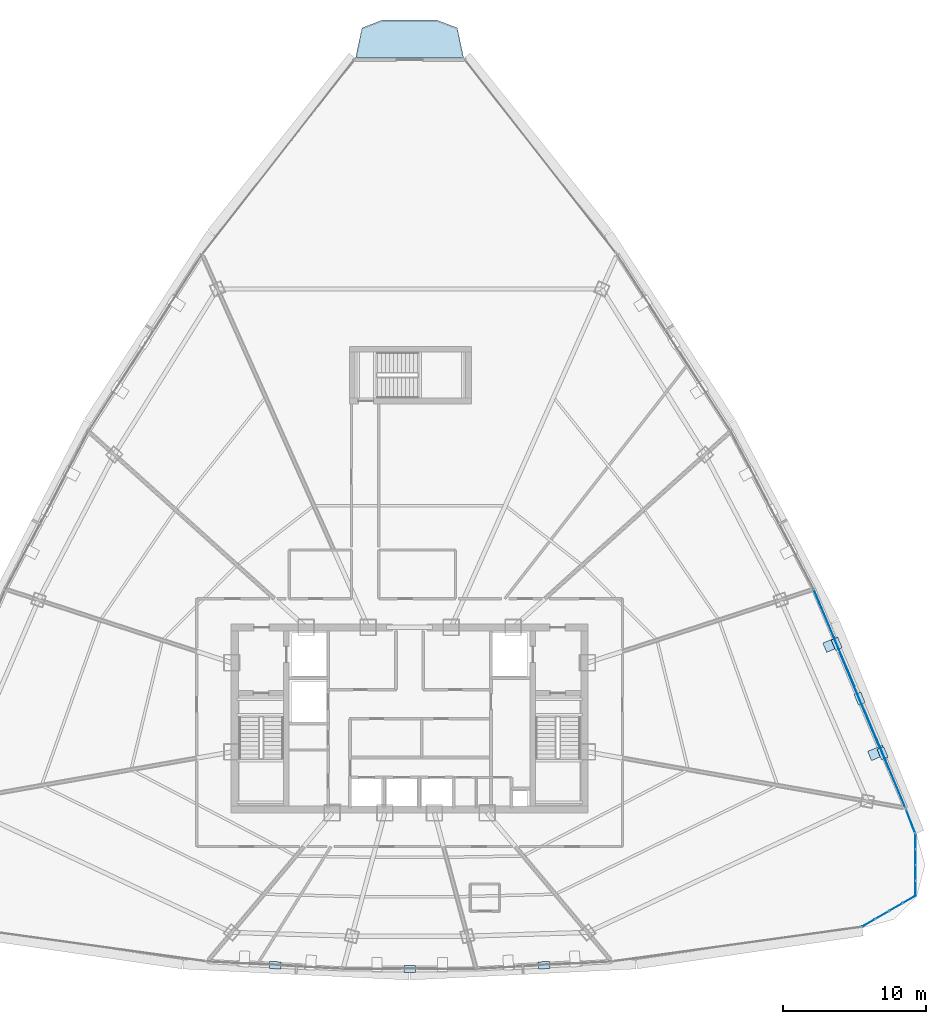
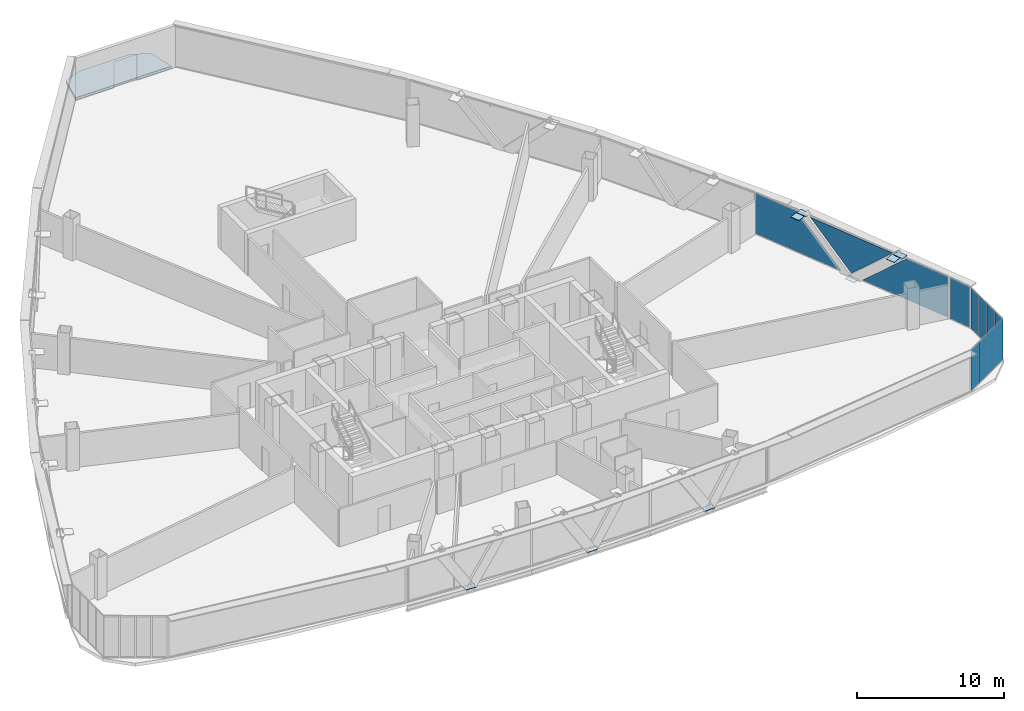
# One storey, part 29 of 36: 20 plates, 1 slab, 4 elements without a shape of their own.
"""IFC4 building model written with IfcOpenShell, lengths in metres."""

from ifc_helpers import new_model, si_unit, direction, frame, origin, origin_2d, place, context, subcontext, project, spatial, polyline, rectangle, outline, extrude, source, transform, mapped, material, layer, layer_set, type_object, element, aggregate, save


model = new_model("IFC4")

# Units and contexts
model_context = context("Model", 3, precision=1e-05, world=origin(), true_north=direction((0.0, 1.0)))
body_context = subcontext(model_context, "Body", "Model", "MODEL_VIEW")
ifc_project = project(units=[si_unit("LENGTHUNIT", "METRE"), si_unit("AREAUNIT", "SQUARE_METRE"), si_unit("VOLUMEUNIT", "CUBIC_METRE"), si_unit("PLANEANGLEUNIT", "RADIAN"), si_unit("MASSUNIT", "GRAM", prefix="KILO"), si_unit("THERMODYNAMICTEMPERATUREUNIT", "KELVIN"), si_unit("POWERUNIT", "WATT")], contexts=[model_context])

# Site, building, storey
site_placement = place(None, origin())
site = spatial("IfcSite", under=ifc_project, at=site_placement, CompositionType="ELEMENT")
building_placement = place(site_placement, origin())
building = spatial("IfcBuilding", under=site, at=building_placement, Name="Yunzhuo Pagoda Commons", CompositionType="ELEMENT")
storey_placement = place(building_placement, frame((0.0, 0.0, 248.260009765625)))
storey = spatial("IfcBuildingStorey", under=building, at=storey_placement, Name="L62", CompositionType="ELEMENT", Elevation=248.260009765625)

# Curtain wall, plates
ifc_material_1 = material(Name="Anodized aluminium 6063-T6", Category="aluminium")
ifc_layer_1 = layer(ifc_material_1, 0.139892578125)
ifc_layer_set_1 = layer_set([ifc_layer_1], Name="Anodized aluminium 6063-T6")
curtain_wall_type_1 = type_object("IfcCurtainWallType", Name="CW-HI High-Zone Ribbon Curtain Wall", PredefinedType="NOTDEFINED", material=ifc_layer_set_1)
curtain_wall_1_placement = place(storey_placement, origin())
curtain_wall_1 = element("IfcCurtainWall", 1, at=curtain_wall_1_placement, inside=storey, type_object=curtain_wall_type_1, Name="L62 curtain wall CW-L62-F2B2", PredefinedType="NOTDEFINED")
ifc_material_2 = material(Name="Tempered low-e double glazing", Category="glass")
ifc_layer_2 = layer(ifc_material_2, 0.02587890625)
ifc_layer_set_2 = layer_set([ifc_layer_2], Name="Tempered low-e double glazing")
plate_type_1 = type_object("IfcPlateType", Name="CW-HI-P Low-E Double Glazing 26", PredefinedType="CURTAIN_PANEL", material=ifc_layer_set_2)
plate_1_placement = place(storey_placement, frame((81.1552734375, 31.013427734375, 1.735107421875), z_axis=(0.922008372235, 0.387169938824, 0.0), x_axis=(-0.387169938824, 0.922008372235, 0.0)))
plate_1 = element("IfcPlate", 2, at=plate_1_placement, type_object=plate_type_1, Name="CW panel 1.1 lite 1", PredefinedType="CURTAIN_PANEL", context=body_context, shape_type="SweptSolid", body=[
    extrude(outline(polyline([(-3.64990234375, -1.679931640625), (3.64990234375, -1.679931640625), (-0.078125, 1.679931640625), (-3.64990234375, 1.679931640625), (-3.64990234375, -1.679931640625)])), origin(), (0.0, 0.0, 1.0), 0.028076171875),
])
plate_2_placement = place(storey_placement, frame((79.359375, 35.212646484375, 1.833251953125), z_axis=(0.922008372235, 0.387169938824, 0.0), x_axis=(-0.387169938824, 0.922008372235, 0.0)))
plate_2 = element("IfcPlate", 3, at=plate_2_placement, type_object=plate_type_1, Name="CW panel 1.1 lite 2", PredefinedType="CURTAIN_PANEL", context=body_context, shape_type="SweptSolid", body=[
    extrude(outline(polyline([(-3.510009765625, 1.581787109375), (0.0, -1.581787109375), (3.510009765625, 1.581787109375), (-3.510009765625, 1.581787109375)])), origin(), (0.0, 0.0, 1.0), 0.028076171875),
])
plate_3_placement = place(storey_placement, frame((77.61865234375, 39.435302734375, 1.735107421875), z_axis=(0.922008372235, 0.387169938824, 0.0), x_axis=(-0.387169938824, 0.922008372235, 0.0)))
plate_3 = element("IfcPlate", 4, at=plate_3_placement, type_object=plate_type_1, Name="CW panel 1.1 lite 3", PredefinedType="CURTAIN_PANEL", context=body_context, shape_type="SweptSolid", body=[
    extrude(outline(polyline([(-3.64990234375, -1.679931640625), (3.64990234375, -1.679931640625), (3.64990234375, 1.679931640625), (0.078125, 1.679931640625), (-3.64990234375, -1.679931640625)])), origin(), (0.0, 0.0, 1.0), 0.028076171875),
])
aggregate(curtain_wall_1, [plate_1, plate_2, plate_3])

# Slab
ifc_material_3 = material(Name="Concrete C40", Category="concrete")
ifc_layer_3 = layer(ifc_material_3, 0.199951171875)
ifc_layer_set_3 = layer_set([ifc_layer_3], Name="Concrete C40")
slab_type = type_object("IfcSlabType", Name="SL-BAL Vertex Balcony Deck Slab 200", PredefinedType="FLOOR", material=ifc_layer_set_3)
slab_placement = place(storey_placement, frame((0.0, 0.0, -0.199951171875)))
element("IfcSlab", 5, at=slab_placement, inside=storey, type_object=slab_type, Name="L62 corner balcony V3", PredefinedType="FLOOR", context=body_context, shape_type="SweptSolid", body=[
    extrude(outline(polyline([(51.773681640625, 79.934814453125), (44.226318359375, 79.934814453125), (44.676513671875, 82.02978515625), (46.11328125, 82.579833984375), (49.88671875, 82.579833984375), (51.323486328125, 82.02978515625), (51.773681640625, 79.934814453125)])), origin(), (0.0, 0.0, 1.0), 0.199951171875),
])

# Plates
ifc_material_4 = material(Name="Structural steel Q355B", Category="steel")
ifc_layer_4 = layer(ifc_material_4, 0.028076171875)
ifc_layer_set_4 = layer_set([ifc_layer_4], Name="Structural steel Q355B")
plate_type_2 = type_object("IfcPlateType", Name="SP-ND1 Lattice Node Cap Plate 800x500x28", PredefinedType="USERDEFINED", material=ifc_layer_set_4)
shared_shape_1 = source(origin(), body_context, "Body", "SweptSolid", [
    extrude(rectangle(XDim=0.800048828125, YDim=0.5, at=origin_2d()), origin(), (0.0, 0.0, 1.0), 0.028076171875),
])
for number, where, z_axis, x_axis, name in (
    (6, (38.623291015625, 16.626953125, -0.27392578125), (0.0, 0.0, 1.0), (0.998513930245, -0.054497074291, 0.0), "L62 diamond node plate F1.1A"),
    (7, (48.0, 16.36865234375, -0.27392578125), (0.0, 0.0, 1.0), (1.0, 0.0, 0.0), "L62 diamond node plate F1.2A"),
    (8, (57.376708984375, 16.626953125, -0.27392578125), (0.0, 0.0, 1.0), (0.998513930245, 0.054497074291, 0.0), "L62 diamond node plate F1.3A"),
    (9, (79.39990234375, 35.229736328125, -0.27392578125), (0.0, 0.0, 1.0), (-0.387177679939, 0.922005121546, 0.0), "L62 diamond node plate F2.1A"),
):
    element("IfcPlate", number, at=place(storey_placement, frame(where, z_axis=z_axis, x_axis=x_axis)), inside=storey, type_object=plate_type_2, Name=name, ObjectType="STIFFENER_PLATE", PredefinedType="USERDEFINED", context=body_context, shape_type="MappedRepresentation", body=[
        mapped(shared_shape_1, transform((0.0, 0.0, 0.0), scale=1.0)),
    ])
ifc_layer_5 = layer(ifc_material_4, 0.028076171875)
ifc_layer_set_5 = layer_set([ifc_layer_5], Name="Structural steel Q355B")
plate_type_3 = type_object("IfcPlateType", Name="EP-DL1 Diamond Brace End Plate 800x500x28", PredefinedType="USERDEFINED", material=ifc_layer_set_5)
for number, where, z_axis, x_axis, name in (
    (10, (81.002197265625, 31.4140625, 3.4677734375), (0.0, 0.0, 1.0), (-0.387177679939, 0.922005121546, 0.0), "L62 diamond brace end plate F2.1L"),
    (11, (77.797607421875, 39.04541015625, 3.4677734375), (0.0, 0.0, 1.0), (-0.387177679939, 0.922005121546, 0.0), "L62 diamond brace end plate F2.1R"),
):
    element("IfcPlate", number, at=place(storey_placement, frame(where, z_axis=z_axis, x_axis=x_axis)), inside=storey, type_object=plate_type_3, Name=name, ObjectType="END_PLATE", PredefinedType="USERDEFINED", context=body_context, shape_type="MappedRepresentation", body=[
        mapped(shared_shape_1, transform((0.0, 0.0, 0.0), scale=1.0)),
    ])
shared_shape_2 = source(origin(), body_context, "Body", "SweptSolid", [
    extrude(rectangle(XDim=0.699951171875, YDim=1.128173828125, at=origin_2d()), origin(), (0.0, 0.0, 1.0), 0.035888671875),
])
plate_4_placement = place(storey_placement, frame((80.614013671875, 31.44189453125, 3.43212890625), z_axis=(0.0, 0.0, 1.0), x_axis=(-0.387177679939, 0.922005121546, 0.0)))
element("IfcPlate", 12, at=plate_4_placement, inside=storey, type_object=plate_type_2, Name="L62 setback lattice tie plate F2.1L", ObjectType="STIFFENER_PLATE", PredefinedType="USERDEFINED", context=body_context, shape_type="MappedRepresentation", body=[
    mapped(shared_shape_2, transform((0.0, 0.0, 0.0), scale=1.0)),
])
shared_shape_3 = source(origin(), body_context, "Body", "SweptSolid", [
    extrude(rectangle(XDim=0.699951171875, YDim=1.05224609375, at=origin_2d()), origin(), (0.0, 0.0, 1.0), 0.035888671875),
])
plate_5_placement = place(storey_placement, frame((77.451904296875, 38.984375, 3.43212890625), z_axis=(0.0, 0.0, 1.0), x_axis=(-0.387177679939, 0.922005121546, 0.0)))
element("IfcPlate", 13, at=plate_5_placement, inside=storey, type_object=plate_type_2, Name="L62 setback lattice tie plate F2.1R", ObjectType="STIFFENER_PLATE", PredefinedType="USERDEFINED", context=body_context, shape_type="MappedRepresentation", body=[
    mapped(shared_shape_3, transform((0.0, 0.0, 0.0), scale=1.0)),
])

# Curtain wall, plate
curtain_wall_2_placement = place(storey_placement, origin())
curtain_wall_2 = element("IfcCurtainWall", 14, at=curtain_wall_2_placement, inside=storey, type_object=curtain_wall_type_1, Name="L62 curtain wall CW-L62-F2B1", PredefinedType="NOTDEFINED")
shared_shape_4 = source(origin(), body_context, "Body", "SweptSolid", [
    extrude(rectangle(XDim=1.723876953125, YDim=0.028076171875, at=origin_2d()), origin(), (0.0, 0.0, 1.0), 3.360107421875),
])
plate_6_placement = place(storey_placement, frame((82.95947265625, 26.666748046875, 0.05517578125), z_axis=(0.0, 0.0, 1.0), x_axis=(-0.356117115139, 0.934441330585, 0.0)))
plate_6 = element("IfcPlate", 15, at=plate_6_placement, type_object=plate_type_1, Name="CW panel 1.1", PredefinedType="CURTAIN_PANEL", context=body_context, shape_type="MappedRepresentation", body=[
    mapped(shared_shape_4, transform((0.0, 0.0, 0.0), scale=1.0)),
])
aggregate(curtain_wall_2, [plate_6])

# Curtain wall, plates
ifc_layer_6 = layer(ifc_material_1, 0.1298828125)
ifc_layer_set_6 = layer_set([ifc_layer_6], Name="Anodized aluminium 6063-T6")
curtain_wall_type_2 = type_object("IfcCurtainWallType", Name="CW-VTX Rounded Corner Curtain Wall", PredefinedType="NOTDEFINED", material=ifc_layer_set_6)
curtain_wall_3_placement = place(storey_placement, origin())
curtain_wall_3 = element("IfcCurtainWall", 16, at=curtain_wall_3_placement, inside=storey, type_object=curtain_wall_type_2, Name="L62 curtain wall CW-L62-VTX2S1", PredefinedType="NOTDEFINED")
ifc_layer_7 = layer(ifc_material_2, 0.02587890625)
ifc_layer_set_7 = layer_set([ifc_layer_7], Name="Tempered low-e double glazing")
plate_type_4 = type_object("IfcPlateType", Name="CW-VTX-P Low-E Double Glazing 26", PredefinedType="CURTAIN_PANEL", material=ifc_layer_set_7)
shared_shape_5 = source(origin(), body_context, "Body", "SweptSolid", [
    extrude(rectangle(XDim=1.01220703125, YDim=0.028076171875, at=origin_2d()), origin(), (0.0, 0.0, 1.0), 3.360107421875),
])
plate_7_placement = place(storey_placement, frame((80.03955078125, 19.58349609375, 0.05517578125), z_axis=(0.0, 0.0, 1.0), x_axis=(0.865426806692, 0.501035370268, 0.0)))
plate_7 = element("IfcPlate", 17, at=plate_7_placement, type_object=plate_type_4, Name="CW panel 1.1", PredefinedType="CURTAIN_PANEL", context=body_context, shape_type="MappedRepresentation", body=[
    mapped(shared_shape_5, transform((0.0, 0.0, 0.0), scale=1.0)),
])
plate_8_placement = place(storey_placement, frame((82.85791015625, 21.215087890625, 0.05517578125), z_axis=(0.0, 0.0, 1.0), x_axis=(0.865426806692, 0.501035370268, 0.0)))
plate_8 = element("IfcPlate", 18, at=plate_8_placement, type_object=plate_type_4, Name="CW panel 4.1", PredefinedType="CURTAIN_PANEL", context=body_context, shape_type="MappedRepresentation", body=[
    mapped(shared_shape_5, transform((0.0, 0.0, 0.0), scale=1.0)),
])

curtain_wall_4_placement = place(storey_placement, origin())
curtain_wall_4 = element("IfcCurtainWall", 19, at=curtain_wall_4_placement, inside=storey, type_object=curtain_wall_type_2, Name="L62 curtain wall CW-L62-VTX2S2", PredefinedType="NOTDEFINED")
plate_9_placement = place(storey_placement, frame((83.301513671875, 21.98779296875, 0.05517578125), z_axis=(0.0, 0.0, 1.0), x_axis=(-0.003585679809, 0.999993571429, 0.0)))
plate_9 = element("IfcPlate", 20, at=plate_9_placement, type_object=plate_type_4, Name="CW panel 1.1", PredefinedType="CURTAIN_PANEL", context=body_context, shape_type="MappedRepresentation", body=[
    mapped(shared_shape_5, transform((0.0, 0.0, 0.0), scale=1.0)),
])
plate_10_placement = place(storey_placement, frame((83.289794921875, 25.244140625, 0.05517578125), z_axis=(0.0, 0.0, 1.0), x_axis=(-0.003585679809, 0.999993571429, 0.0)))
plate_10 = element("IfcPlate", 21, at=plate_10_placement, type_object=plate_type_4, Name="CW panel 4.1", PredefinedType="CURTAIN_PANEL", context=body_context, shape_type="MappedRepresentation", body=[
    mapped(shared_shape_5, transform((0.0, 0.0, 0.0), scale=1.0)),
])

# Plate
shared_shape_6 = source(origin(), body_context, "Body", "SweptSolid", [
    extrude(rectangle(XDim=1.03955078125, YDim=0.028076171875, at=origin_2d()), origin(), (0.0, 0.0, 1.0), 3.360107421875),
])
plate_11_placement = place(storey_placement, frame((80.97509765625, 20.125244140625, 0.05517578125), z_axis=(0.0, 0.0, 1.0), x_axis=(0.865426806692, 0.501035370268, 0.0)))
plate_11 = element("IfcPlate", 22, at=plate_11_placement, type_object=plate_type_4, Name="CW panel 2.1", PredefinedType="CURTAIN_PANEL", context=body_context, shape_type="MappedRepresentation", body=[
    mapped(shared_shape_6, transform((0.0, 0.0, 0.0), scale=1.0)),
])

plate_12_placement = place(storey_placement, frame((81.92236328125, 20.673583984375, 0.05517578125), z_axis=(0.0, 0.0, 1.0), x_axis=(0.865426806692, 0.501035370268, 0.0)))
plate_12 = element("IfcPlate", 23, at=plate_12_placement, type_object=plate_type_4, Name="CW panel 3.1", PredefinedType="CURTAIN_PANEL", context=body_context, shape_type="MappedRepresentation", body=[
    mapped(shared_shape_6, transform((0.0, 0.0, 0.0), scale=1.0)),
])

aggregate(curtain_wall_3, [plate_7, plate_11, plate_12, plate_8])

plate_13_placement = place(storey_placement, frame((83.297607421875, 23.06884765625, 0.05517578125), z_axis=(0.0, 0.0, 1.0), x_axis=(-0.003585679809, 0.999993571429, 0.0)))
plate_13 = element("IfcPlate", 24, at=plate_13_placement, type_object=plate_type_4, Name="CW panel 2.1", PredefinedType="CURTAIN_PANEL", context=body_context, shape_type="MappedRepresentation", body=[
    mapped(shared_shape_6, transform((0.0, 0.0, 0.0), scale=1.0)),
])

plate_14_placement = place(storey_placement, frame((83.293701171875, 24.163330078125, 0.05517578125), z_axis=(0.0, 0.0, 1.0), x_axis=(-0.003585679809, 0.999993571429, 0.0)))
plate_14 = element("IfcPlate", 25, at=plate_14_placement, type_object=plate_type_4, Name="CW panel 3.1", PredefinedType="CURTAIN_PANEL", context=body_context, shape_type="MappedRepresentation", body=[
    mapped(shared_shape_6, transform((0.0, 0.0, 0.0), scale=1.0)),
])

aggregate(curtain_wall_4, [plate_9, plate_13, plate_14, plate_10])

save(model, "model.ifc")
